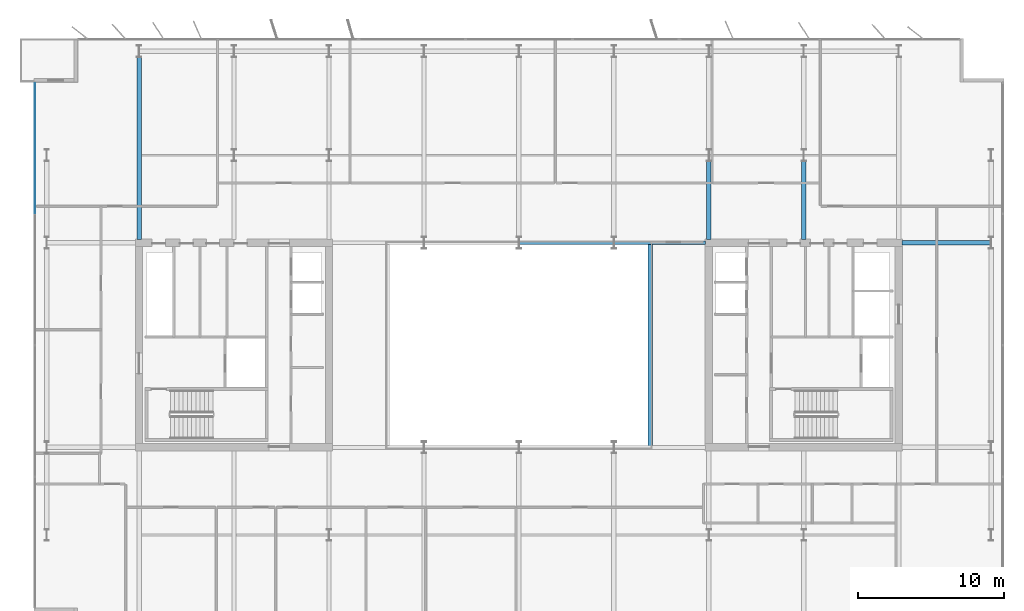
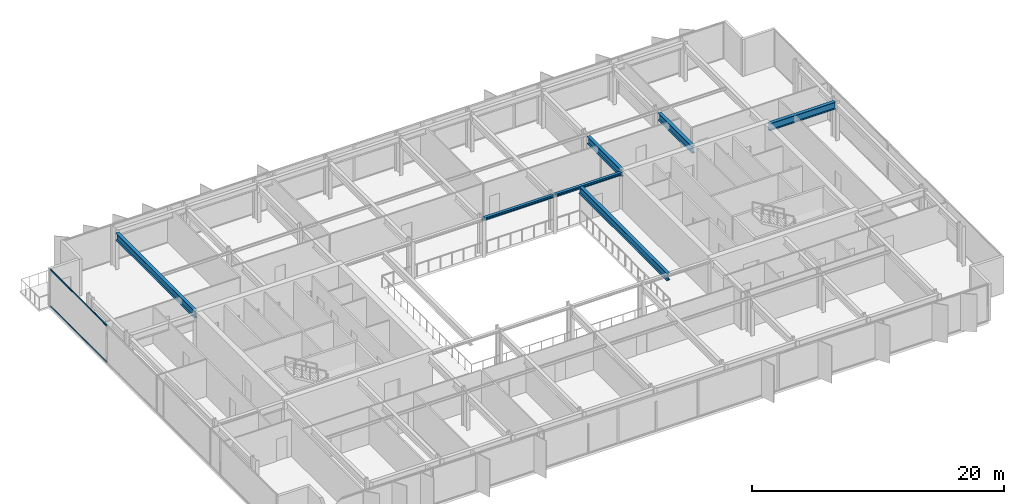
# One storey, part 9 of 23: 7 beams, 2 members, 1 element without a shape of its own.
"""IFC4 building model written with IfcOpenShell, lengths in metres."""

import ifcopenshell
import ifcopenshell.guid

model = None  # the IFC model being written
_history = None  # IfcOwnerHistory: only IFC2X3 demands one
_inside = {}  # id of a spatial element -> (the spatial element, [elements in it])
_under = {}  # id of a project, library or spatial element -> (it, [spatial elements below it])
_declared = {}  # id of a project -> (the project, [libraries it declares])
_typed = {}  # id of a type object -> (the type object, [elements of that type])
_made_of = {}  # id of a material, layer set ... -> (it, [elements and type objects made of it])


def new_model(schema):
    """Start an empty IFC model of exactly this schema.

    Asked for "IFC4X3", IfcOpenShell would pick the latest addendum, in which some entities
    have other attributes; the version numbers below select the first issue.
    IFC2X3 requires an IfcOwnerHistory on every rooted entity: one is made here for all.
    """
    global model, _history
    if schema == "IFC4X3":
        model = ifcopenshell.file(schema_version=(4, 3, 0, 0))
    else:
        model = ifcopenshell.file(schema=schema)
    _inside.clear()
    _under.clear()
    _declared.clear()
    _typed.clear()
    _made_of.clear()
    _history = None
    if model.schema == "IFC2X3":
        org = make("IfcOrganization", Name="unknown")
        user = make(
            "IfcPersonAndOrganization",
            ThePerson=make("IfcPerson", FamilyName="unknown"),
            TheOrganization=org,
        )
        app = make(
            "IfcApplication",
            ApplicationDeveloper=org,
            Version="unknown",
            ApplicationFullName="unknown",
            ApplicationIdentifier="unknown",
        )
        _history = make(
            "IfcOwnerHistory",
            OwningUser=user,
            OwningApplication=app,
            ChangeAction="ADDED",
            CreationDate=0,
        )
    return model


def make(cls, **values):
    """One entity of the class cls with the attributes given. An attribute that is None is left unset."""
    return model.create_entity(
        cls, **{name: value for name, value in values.items() if value is not None}
    )


def rooted(cls, **values):
    """An entity with a GlobalId (a new one), such as an element, a storey or a relation."""
    return make(cls, GlobalId=ifcopenshell.guid.new(), OwnerHistory=_history, **values)


def si_unit(unit_type, name, prefix=None):
    """IfcSIUnit, for example si_unit("LENGTHUNIT", "METRE", prefix="MILLI")."""
    return make("IfcSIUnit", UnitType=unit_type, Prefix=prefix, Name=name)


def assignment(units):
    """IfcUnitAssignment: the units of a project."""
    return None if units is None else make("IfcUnitAssignment", Units=units)


def point(xyz):
    """IfcCartesianPoint."""
    return None if xyz is None else make("IfcCartesianPoint", Coordinates=xyz)


def direction(xyz):
    """IfcDirection."""
    return None if xyz is None else make("IfcDirection", DirectionRatios=xyz)


def frame(location, z_axis=None, x_axis=None):
    """IfcAxis2Placement3D, a coordinate frame: its origin and axes. An axis left out is left unset."""
    return make(
        "IfcAxis2Placement3D",
        Location=point(location),
        Axis=direction(z_axis),
        RefDirection=direction(x_axis),
    )


def frame_2d(location, x_axis=None):
    """IfcAxis2Placement2D, a coordinate frame in the plane: its origin and x axis."""
    return make(
        "IfcAxis2Placement2D", Location=point(location), RefDirection=direction(x_axis)
    )


def origin():
    """The frame at (0, 0, 0) with its axes left unset."""
    return frame((0.0, 0.0, 0.0))


def origin_2d():
    """The frame at (0, 0) in the plane with its x axis left unset."""
    return frame_2d((0.0, 0.0))


def place(relative_to, where):
    """IfcLocalPlacement: puts the frame where relative to a parent placement (None: the world)."""
    return make(
        "IfcLocalPlacement", PlacementRelTo=relative_to, RelativePlacement=where
    )


def context(
    kind, dimensions, precision=None, world=None, true_north=None, identifier=None
):
    """IfcGeometricRepresentationContext, for example the 3D "Model" context."""
    return make(
        "IfcGeometricRepresentationContext",
        ContextIdentifier=identifier,
        ContextType=kind,
        CoordinateSpaceDimension=dimensions,
        Precision=precision,
        WorldCoordinateSystem=world,
        TrueNorth=true_north,
    )


def subcontext(parent, identifier, kind, view, scale=None):
    """IfcGeometricRepresentationSubContext, for example "Body" below "Model"."""
    return make(
        "IfcGeometricRepresentationSubContext",
        ContextIdentifier=identifier,
        ContextType=kind,
        ParentContext=parent,
        TargetScale=scale,
        TargetView=view,
    )


def project(units=None, contexts=None):
    """IfcProject with its units and contexts."""
    return rooted(
        "IfcProject",
        Name="project",
        RepresentationContexts=contexts,
        UnitsInContext=assignment(units),
    )


def spatial(cls, under=None, at=None, **own):
    """A site, building, storey or space (cls), placed at a placement, below another one or the project."""
    s = rooted(cls, ObjectPlacement=at, **own)
    if under is not None:
        _under.setdefault(under.id(), (under, []))[1].append(s)
    return s


def profile(cls, at=None, kind="AREA", **sizes):
    """A parametric profile (cls). Its sizes go by their IFC names, for example OverallWidth=200.0."""
    return make(cls, ProfileType=kind, Position=at, **sizes)


def rectangle(**sizes):
    """IfcRectangleProfileDef."""
    return profile("IfcRectangleProfileDef", **sizes)


def i_section(**sizes):
    """IfcIShapeProfileDef."""
    return profile("IfcIShapeProfileDef", **sizes)


def extrude(swept, where, along, depth):
    """IfcExtrudedAreaSolid: the profile swept, set in the frame where, extruded along a direction by depth."""
    return make(
        "IfcExtrudedAreaSolid",
        SweptArea=swept,
        Position=where,
        ExtrudedDirection=direction(along),
        Depth=depth,
    )


def shape(context_of_items, identifier, shape_type, items):
    """IfcShapeRepresentation: the items that make up one representation, for example the "Body"."""
    return make(
        "IfcShapeRepresentation",
        ContextOfItems=context_of_items,
        RepresentationIdentifier=identifier,
        RepresentationType=shape_type,
        Items=items,
    )


def material(Name=None, Category=None):
    """IfcMaterial."""
    return make("IfcMaterial", Name=Name, Category=Category)


def layer(
    of_material, thickness, ventilated=None, Name=None, Category=None, Priority=None
):
    """IfcMaterialLayer: one layer of a wall or slab, of a material (None: an air gap)."""
    return make(
        "IfcMaterialLayer",
        Material=of_material,
        LayerThickness=thickness,
        IsVentilated=ventilated,
        Name=Name,
        Category=Category,
        Priority=Priority,
    )


def layer_set(layers, Name=None):
    """IfcMaterialLayerSet."""
    return make("IfcMaterialLayerSet", MaterialLayers=layers, LayerSetName=Name)


def material_profile(
    of_material, cross_section, Name=None, Category=None, Priority=None
):
    """IfcMaterialProfile: a cross section and its material."""
    return make(
        "IfcMaterialProfile",
        Name=Name,
        Material=of_material,
        Profile=cross_section,
        Priority=Priority,
        Category=Category,
    )


def profile_set(profiles, Name=None, composite=None):
    """IfcMaterialProfileSet."""
    return make(
        "IfcMaterialProfileSet",
        Name=Name,
        MaterialProfiles=profiles,
        CompositeProfile=composite,
    )


def made_of(thing, what):
    """Note that an element or type object is made of a material, layer set ...; save() writes the relation."""
    if what is not None:
        _made_of.setdefault(what.id(), (what, []))[1].append(thing)
    return thing


def type_object(cls, material=None, **own):
    """A type object (cls), such as IfcWallType, which elements share."""
    return made_of(rooted(cls, **own), material)


def element(
    cls,
    number,
    at=None,
    inside=None,
    cuts=None,
    type_object=None,
    material=None,
    context=None,
    identifier="Body",
    shape_type=None,
    held_by="IfcProductDefinitionShape",
    body=None,
    shapes=None,
    **own,
):
    """One element of the class cls, such as IfcWall. Its Tag is "e" and its number.

    at: its placement. inside: the storey or other place that contains it. cuts: it is an
    opening in that element (IfcRelVoidsElement). A single representation is given by context,
    identifier, shape_type and body (its items); several are given by shapes. held_by: the class
    of the entity that holds the representations. save() writes the other relations.
    """
    e = rooted(cls, Tag="e%d" % number, ObjectPlacement=at, **own)
    if body is not None:
        shapes = [shape(context, identifier, shape_type, body)]
    if shapes is not None:
        e.Representation = make(held_by, Representations=shapes)
    if inside is not None:
        _inside.setdefault(inside.id(), (inside, []))[1].append(e)
    if cuts is not None:
        rooted(
            "IfcRelVoidsElement", RelatingBuildingElement=cuts, RelatedOpeningElement=e
        )
    if type_object is not None:
        _typed.setdefault(type_object.id(), (type_object, []))[1].append(e)
    return made_of(e, material)


def aggregate(whole, parts):
    """IfcRelAggregates: a whole, such as a stair, and the parts it consists of."""
    return rooted("IfcRelAggregates", RelatingObject=whole, RelatedObjects=parts)


def save(model, path):
    """Write the relations noted so far, then the file.

    IfcRelAggregates (storeys below a building ...), IfcRelContainedInSpatialStructure (elements
    in a storey), IfcRelDefinesByType, IfcRelAssociatesMaterial and IfcRelDeclares: one each for
    every whole, place, type object, material and project.
    """
    for whole, parts in _under.values():
        aggregate(whole, parts)
    for where, things in _inside.values():
        rooted(
            "IfcRelContainedInSpatialStructure",
            RelatedElements=things,
            RelatingStructure=where,
        )
    for kind, things in _typed.values():
        rooted("IfcRelDefinesByType", RelatedObjects=things, RelatingType=kind)
    for what, things in _made_of.values():
        rooted("IfcRelAssociatesMaterial", RelatedObjects=things, RelatingMaterial=what)
    for by, libraries in _declared.values():
        rooted("IfcRelDeclares", RelatingContext=by, RelatedDefinitions=libraries)
    model.write(path)


model = new_model("IFC4")

# Units and contexts
model_context = context("Model", 3, precision=1e-05, world=origin(), true_north=direction((0.0, 1.0)))
body_context = subcontext(model_context, "Body", "Model", "MODEL_VIEW")
ifc_project = project(units=[si_unit("LENGTHUNIT", "METRE"), si_unit("AREAUNIT", "SQUARE_METRE"), si_unit("VOLUMEUNIT", "CUBIC_METRE"), si_unit("PLANEANGLEUNIT", "RADIAN"), si_unit("MASSUNIT", "GRAM", prefix="KILO")], contexts=[model_context])

# Site, building, storey
site_placement = place(None, origin())
site = spatial("IfcSite", under=ifc_project, at=site_placement, CompositionType="ELEMENT")
building_placement = place(site_placement, origin())
building = spatial("IfcBuilding", under=site, at=building_placement, Name="Putna Gate Headquarters", CompositionType="ELEMENT")
storey_placement = place(building_placement, frame((0.0, 0.0, 221.39990234375)))
storey = spatial("IfcBuildingStorey", under=building, at=storey_placement, Name="L55", CompositionType="ELEMENT", Elevation=221.39990234375)

# Beams
ifc_material_1 = material(Name="Steel S355J2", Category="steel")
ifc_material_profile_1 = material_profile(ifc_material_1, i_section(OverallWidth=0.260009765625, OverallDepth=0.260009765625, WebThickness=0.010009765625, FlangeThickness=0.017578125, at=origin_2d()), Name="Steel S355J2")
ifc_profile_set_1 = profile_set([ifc_material_profile_1], Name="Steel S355J2")
beam_type_1 = type_object("IfcBeamType", Name="BM-ATRIUM-HEB260", PredefinedType="BEAM", material=ifc_profile_set_1)
beam_1_placement = place(storey_placement, frame((39.006103515625, 33.0, 3.4501953125), z_axis=(1.0, 0.0, 0.0), x_axis=(0.0, 1.0, 0.0)))
element("IfcBeam", 1, at=beam_1_placement, inside=storey, type_object=beam_type_1, Name="L55 Atrium Edge Beam AN3", PredefinedType="BEAM", context=body_context, shape_type="SweptSolid", body=[
    extrude(i_section(OverallWidth=0.260009765625, OverallDepth=0.260009765625, WebThickness=0.010009765625, FlangeThickness=0.017578125, at=origin_2d()), origin(), (0.0, 0.0, 1.0), 6.48779296875),
])
beam_2_placement = place(storey_placement, frame((45.506103515625, 33.0, 3.4501953125), z_axis=(1.0, 0.0, 0.0), x_axis=(0.0, 1.0, 0.0)))
element("IfcBeam", 2, at=beam_2_placement, inside=storey, type_object=beam_type_1, Name="L55 Atrium Edge Beam AN4", PredefinedType="BEAM", context=body_context, shape_type="SweptSolid", body=[
    extrude(i_section(OverallWidth=0.260009765625, OverallDepth=0.260009765625, WebThickness=0.010009765625, FlangeThickness=0.017578125, at=origin_2d()), origin(), (0.0, 0.0, 1.0), 6.2587890625),
])
ifc_material_profile_2 = material_profile(ifc_material_1, i_section(OverallWidth=0.300048828125, OverallDepth=0.699951171875, WebThickness=0.01708984375, FlangeThickness=0.031982421875, at=origin_2d()), Name="Steel S355J2")
ifc_profile_set_2 = profile_set([ifc_material_profile_2], Name="Steel S355J2")
beam_type_2 = type_object("IfcBeamType", Name="BM-GIRD-B-HEB700", PredefinedType="USERDEFINED", material=ifc_profile_set_2)
beam_3_placement = place(storey_placement, frame((65.235107421875, 33.0, 3.22998046875), z_axis=(1.0, 0.0, 0.0), x_axis=(0.0, 1.0, 0.0)))
element("IfcBeam", 3, at=beam_3_placement, inside=storey, type_object=beam_type_2, Name="L55 East Wing Girder Y33", ObjectType="GIRDER", PredefinedType="USERDEFINED", context=body_context, shape_type="SweptSolid", body=[
    extrude(i_section(OverallWidth=0.300048828125, OverallDepth=0.699951171875, WebThickness=0.01708984375, FlangeThickness=0.031982421875, at=origin_2d()), origin(), (0.0, 0.0, 1.0), 6.078857421875),
])
beam_4_placement = place(storey_placement, frame((13.0, 33.235107421875, 3.22998046875), z_axis=(0.0, 1.0, 0.0), x_axis=(-1.0, 0.0, 0.0)))
element("IfcBeam", 4, at=beam_4_placement, inside=storey, type_object=beam_type_2, Name="L55 North Primary Girder X13", ObjectType="GIRDER", PredefinedType="USERDEFINED", context=body_context, shape_type="SweptSolid", body=[
    extrude(i_section(OverallWidth=0.300048828125, OverallDepth=0.699951171875, WebThickness=0.01708984375, FlangeThickness=0.031982421875, at=origin_2d()), origin(), (0.0, 0.0, 1.0), 12.489990234375),
])
for number, where, z_axis, x_axis, name in (
    (5, (52.0, 33.235107421875, 3.22998046875), (0.0, 1.0, 0.0), (-1.0, 0.0, 0.0), "L55 North Primary Girder X52-1"),
    (6, (58.5, 33.235107421875, 3.22998046875), (0.0, 1.0, 0.0), (-1.0, 0.0, 0.0), "L55 North Primary Girder X58-1"),
):
    element("IfcBeam", number, at=place(storey_placement, frame(where, z_axis=z_axis, x_axis=x_axis)), inside=storey, type_object=beam_type_2, Name=name, ObjectType="GIRDER", PredefinedType="USERDEFINED", context=body_context, shape_type="SweptSolid", body=[
        extrude(i_section(OverallWidth=0.300048828125, OverallDepth=0.699951171875, WebThickness=0.01708984375, FlangeThickness=0.031982421875, at=origin_2d()), origin(), (0.0, 0.0, 1.0), 5.369873046875),
    ])
beam_5_placement = place(storey_placement, frame((48.0, 19.010009765625, 3.22998046875), z_axis=(0.0, 1.0, 0.0), x_axis=(-1.0, 0.0, 0.0)))
element("IfcBeam", 7, at=beam_5_placement, inside=storey, type_object=beam_type_2, Name="L55 Atrium Trim Girder AE", ObjectType="GIRDER", PredefinedType="USERDEFINED", context=body_context, shape_type="SweptSolid", body=[
    extrude(i_section(OverallWidth=0.300048828125, OverallDepth=0.699951171875, WebThickness=0.01708984375, FlangeThickness=0.031982421875, at=origin_2d()), origin(), (0.0, 0.0, 1.0), 13.97998046875),
])

# Curtain wall, members
ifc_material_2 = material(Name="Anodised bronze aluminium curtain wall", Category="aluminium")
ifc_layer = layer(ifc_material_2, 0.139892578125)
ifc_layer_set = layer_set([ifc_layer], Name="Anodised bronze aluminium curtain wall")
curtain_wall_type = type_object("IfcCurtainWallType", Name="CW-SYS-Z4", PredefinedType="USERDEFINED", material=ifc_layer_set)
curtain_wall_placement = place(storey_placement, origin())
curtain_wall = element("IfcCurtainWall", 8, at=curtain_wall_placement, inside=storey, type_object=curtain_wall_type, Name="L55 West Curtain Wall", ObjectType="STICK CURTAIN WALL", PredefinedType="USERDEFINED")
ifc_material_3 = material(Name="Anodised bronze aluminium EN AW-6060", Category="aluminium")
ifc_material_profile_3 = material_profile(ifc_material_3, rectangle(XDim=0.06005859375, YDim=0.10009765625, at=origin_2d()), Name="Anodised bronze aluminium EN AW-6060")
ifc_profile_set_3 = profile_set([ifc_material_profile_3], Name="Anodised bronze aluminium EN AW-6060")
member_type = type_object("IfcMemberType", Name="TRAN-CWT-4", PredefinedType="USERDEFINED", material=ifc_profile_set_3)
member_1_placement = place(storey_placement, frame((5.8798828125, 35.030029296875, 0.030029296875), z_axis=(0.0, 1.0, 0.0), x_axis=(-1.0, 0.0, 0.0)))
member_1 = element("IfcMember", 9, at=member_1_placement, type_object=member_type, Name="CWS-4 transom 4.1", ObjectType="TRANSOM", PredefinedType="USERDEFINED", context=body_context, shape_type="SweptSolid", body=[
    extrude(rectangle(XDim=0.06005859375, YDim=0.10009765625, at=origin_2d()), origin(), (0.0, 0.0, 1.0), 8.909912109375),
])
member_2_placement = place(storey_placement, frame((5.8798828125, 35.030029296875, 3.550048828125), z_axis=(0.0, 1.0, 0.0), x_axis=(-1.0, 0.0, 0.0)))
member_2 = element("IfcMember", 10, at=member_2_placement, type_object=member_type, Name="CWS-4 transom 4.2", ObjectType="TRANSOM", PredefinedType="USERDEFINED", context=body_context, shape_type="SweptSolid", body=[
    extrude(rectangle(XDim=0.06005859375, YDim=0.10009765625, at=origin_2d()), origin(), (0.0, 0.0, 1.0), 8.909912109375),
])
aggregate(curtain_wall, [member_1, member_2])

save(model, "model.ifc")
